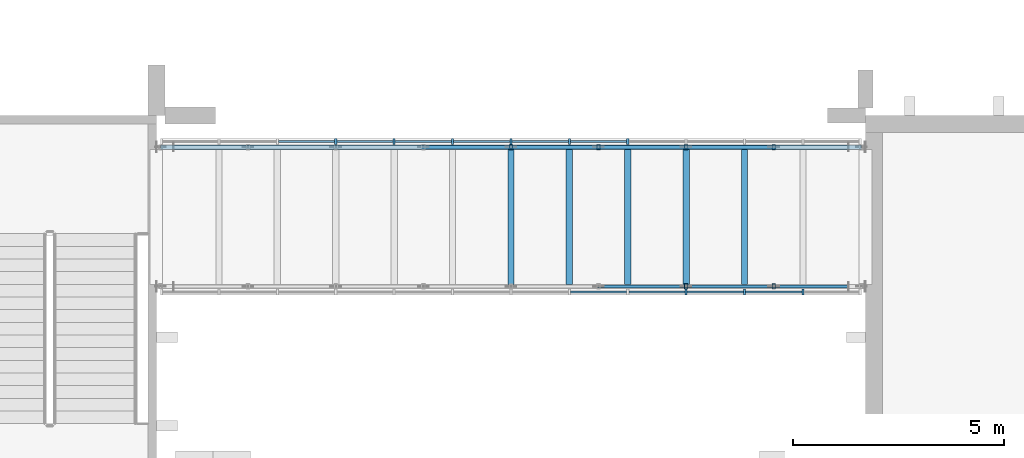
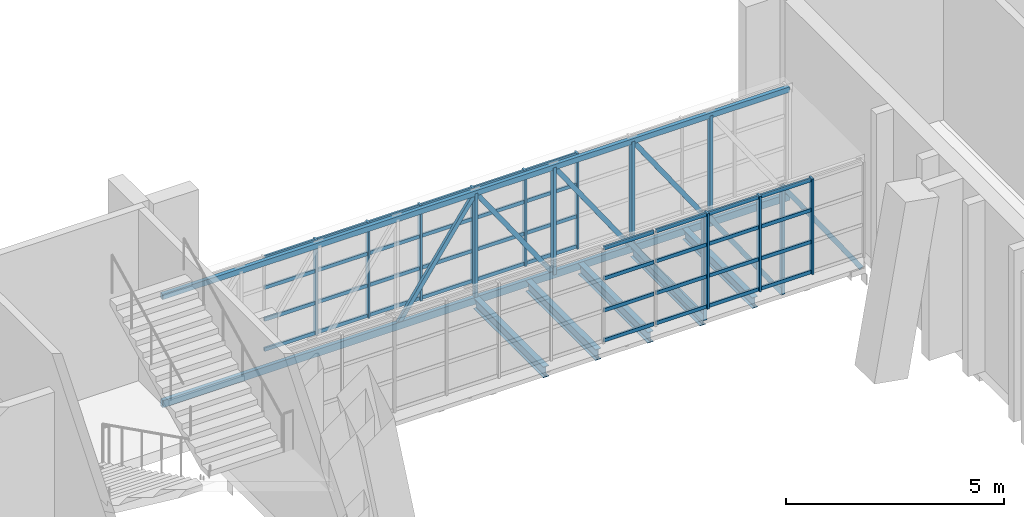
# One storey, part 12 of 91: 64 members, 5 beams, 2 elements without a shape of their own.
"""IFC4 building model written with IfcOpenShell, lengths in metres."""

from ifc_helpers import new_model, si_unit, direction, frame, origin, origin_2d, place, context, subcontext, project, spatial, rectangle, hollow_rectangle, i_section, extrude, material, layer, layer_set, material_profile, profile_set, type_object, element, aggregate, save


model = new_model("IFC4")

# Units and contexts
model_context = context("Model", 3, precision=1e-05, world=origin(), true_north=direction((0.0, 1.0)))
body_context = subcontext(model_context, "Body", "Model", "MODEL_VIEW")
ifc_project = project(units=[si_unit("LENGTHUNIT", "METRE"), si_unit("AREAUNIT", "SQUARE_METRE"), si_unit("VOLUMEUNIT", "CUBIC_METRE"), si_unit("PLANEANGLEUNIT", "RADIAN"), si_unit("MASSUNIT", "GRAM", prefix="KILO")], contexts=[model_context])

# Site, building, storey
site_placement = place(None, origin())
site = spatial("IfcSite", under=ifc_project, at=site_placement, CompositionType="ELEMENT")
building_placement = place(site_placement, origin())
building = spatial("IfcBuilding", under=site, at=building_placement, Name="Kiln Court Media Centre", CompositionType="ELEMENT")
storey_placement = place(building_placement, frame((0.0, 0.0, 5.39990234375)))
storey = spatial("IfcBuildingStorey", under=building, at=storey_placement, Name="L01", CompositionType="ELEMENT", Elevation=5.39990234375)

# Curtain wall, members
ifc_material_1 = material(Name="Aluminium 6063-T6", Category="aluminium")
ifc_layer = layer(ifc_material_1, 0.1201171875)
ifc_layer_set = layer_set([ifc_layer], Name="Aluminium unitised curtain wall, bridge")
curtain_wall_type = type_object("IfcCurtainWallType", Name="Aluminium unitised curtain wall, bridge", PredefinedType="USERDEFINED", material=ifc_layer_set)
curtain_wall_1_placement = place(storey_placement, origin())
curtain_wall_1 = element("IfcCurtainWall", 1, at=curtain_wall_1_placement, inside=storey, type_object=curtain_wall_type, Name="BR-3 side glazing", ObjectType="UNITISED CURTAIN WALL", PredefinedType="USERDEFINED")
ifc_material_2 = material(Name="Aluminium 6063-T6", Category="aluminium")
ifc_material_profile_1 = material_profile(ifc_material_2, rectangle(XDim=0.050048828125, YDim=0.139892578125, at=origin_2d()), Name="Aluminium hall mullion 50x140")
ifc_profile_set_1 = profile_set([ifc_material_profile_1], Name="Aluminium 6063-T6")
member_type_1 = type_object("IfcMemberType", Name="Aluminium hall mullion 50x140", PredefinedType="MULLION", material=ifc_profile_set_1)
member_1_placement = place(storey_placement, frame((113.35009765625, 63.014892578125, 0.0), z_axis=(0.0, 0.0, 1.0), x_axis=(1.0, 0.0, 0.0)))
member_1 = element("IfcMember", 2, at=member_1_placement, type_object=member_type_1, Name="CW1-63 mullion 10", PredefinedType="MULLION", context=body_context, shape_type="SweptSolid", body=[
    extrude(rectangle(XDim=0.050048828125, YDim=0.139892578125, at=origin_2d()), origin(), (0.0, 0.0, 1.0), 2.675048828125),
])
member_2_placement = place(storey_placement, frame((114.7333984375, 63.014892578125, 0.0), z_axis=(0.0, 0.0, 1.0), x_axis=(1.0, 0.0, 0.0)))
member_2 = element("IfcMember", 3, at=member_2_placement, type_object=member_type_1, Name="CW1-63 mullion 11", PredefinedType="MULLION", context=body_context, shape_type="SweptSolid", body=[
    extrude(rectangle(XDim=0.050048828125, YDim=0.139892578125, at=origin_2d()), origin(), (0.0, 0.0, 1.0), 2.675048828125),
])
member_3_placement = place(storey_placement, frame((116.11669921875, 63.014892578125, 0.0), z_axis=(0.0, 0.0, 1.0), x_axis=(1.0, 0.0, 0.0)))
member_3 = element("IfcMember", 4, at=member_3_placement, type_object=member_type_1, Name="CW1-63 mullion 12", PredefinedType="MULLION", context=body_context, shape_type="SweptSolid", body=[
    extrude(rectangle(XDim=0.050048828125, YDim=0.139892578125, at=origin_2d()), origin(), (0.0, 0.0, 1.0), 2.675048828125),
])

curtain_wall_2_placement = place(storey_placement, origin())
curtain_wall_2 = element("IfcCurtainWall", 5, at=curtain_wall_2_placement, inside=storey, type_object=curtain_wall_type, Name="BR-3 side glazing", ObjectType="UNITISED CURTAIN WALL", PredefinedType="USERDEFINED")
member_4_placement = place(storey_placement, frame((105.050048828125, 66.5849609375, 0.0), z_axis=(0.0, 0.0, 1.0), x_axis=(1.0, 0.0, 0.0)))
member_4 = element("IfcMember", 6, at=member_4_placement, type_object=member_type_1, Name="CW1-64 mullion 4", PredefinedType="MULLION", context=body_context, shape_type="SweptSolid", body=[
    extrude(rectangle(XDim=0.050048828125, YDim=0.139892578125, at=origin_2d()), origin(), (0.0, 0.0, 1.0), 2.675048828125),
])
member_5_placement = place(storey_placement, frame((106.433349609375, 66.5849609375, 0.0), z_axis=(0.0, 0.0, 1.0), x_axis=(1.0, 0.0, 0.0)))
member_5 = element("IfcMember", 7, at=member_5_placement, type_object=member_type_1, Name="CW1-64 mullion 5", PredefinedType="MULLION", context=body_context, shape_type="SweptSolid", body=[
    extrude(rectangle(XDim=0.050048828125, YDim=0.139892578125, at=origin_2d()), origin(), (0.0, 0.0, 1.0), 2.675048828125),
])
member_6_placement = place(storey_placement, frame((107.816650390625, 66.5849609375, 0.0), z_axis=(0.0, 0.0, 1.0), x_axis=(1.0, 0.0, 0.0)))
member_6 = element("IfcMember", 8, at=member_6_placement, type_object=member_type_1, Name="CW1-64 mullion 6", PredefinedType="MULLION", context=body_context, shape_type="SweptSolid", body=[
    extrude(rectangle(XDim=0.050048828125, YDim=0.139892578125, at=origin_2d()), origin(), (0.0, 0.0, 1.0), 2.675048828125),
])
member_7_placement = place(storey_placement, frame((109.199951171875, 66.5849609375, 0.0), z_axis=(0.0, 0.0, 1.0), x_axis=(1.0, 0.0, 0.0)))
member_7 = element("IfcMember", 9, at=member_7_placement, type_object=member_type_1, Name="CW1-64 mullion 7", PredefinedType="MULLION", context=body_context, shape_type="SweptSolid", body=[
    extrude(rectangle(XDim=0.050048828125, YDim=0.139892578125, at=origin_2d()), origin(), (0.0, 0.0, 1.0), 2.675048828125),
])
member_8_placement = place(storey_placement, frame((110.583251953125, 66.5849609375, 0.0), z_axis=(0.0, 0.0, 1.0), x_axis=(1.0, 0.0, 0.0)))
member_8 = element("IfcMember", 10, at=member_8_placement, type_object=member_type_1, Name="CW1-64 mullion 8", PredefinedType="MULLION", context=body_context, shape_type="SweptSolid", body=[
    extrude(rectangle(XDim=0.050048828125, YDim=0.139892578125, at=origin_2d()), origin(), (0.0, 0.0, 1.0), 2.675048828125),
])
member_9_placement = place(storey_placement, frame((111.966552734375, 66.5849609375, 0.0), z_axis=(0.0, 0.0, 1.0), x_axis=(1.0, 0.0, 0.0)))
member_9 = element("IfcMember", 11, at=member_9_placement, type_object=member_type_1, Name="CW1-64 mullion 9", PredefinedType="MULLION", context=body_context, shape_type="SweptSolid", body=[
    extrude(rectangle(XDim=0.050048828125, YDim=0.139892578125, at=origin_2d()), origin(), (0.0, 0.0, 1.0), 2.675048828125),
])

# Member
ifc_material_3 = material(Name="Aluminium 6063-T6", Category="aluminium")
ifc_material_profile_2 = material_profile(ifc_material_3, rectangle(XDim=0.050048828125, YDim=0.10009765625, at=origin_2d()), Name="Aluminium hall transom 50x100")
ifc_profile_set_2 = profile_set([ifc_material_profile_2], Name="Aluminium 6063-T6")
member_type_2 = type_object("IfcMemberType", Name="Aluminium hall transom 50x100", PredefinedType="USERDEFINED", material=ifc_profile_set_2)
member_10_placement = place(storey_placement, frame((110.6083984375, 63.014892578125, 0.050048828125), z_axis=(1.0, 0.0, 0.0), x_axis=(0.0, 1.0, 0.0)))
member_10 = element("IfcMember", 12, at=member_10_placement, type_object=member_type_2, Name="CW1-63 transom 8.1", ObjectType="TRANSOM", PredefinedType="USERDEFINED", context=body_context, shape_type="SweptSolid", body=[
    extrude(rectangle(XDim=0.050048828125, YDim=0.10009765625, at=origin_2d()), origin(), (0.0, 0.0, 1.0), 1.333251953125),
])

member_11_placement = place(storey_placement, frame((110.6083984375, 63.014892578125, 0.891845703125), z_axis=(1.0, 0.0, 0.0), x_axis=(0.0, 1.0, 0.0)))
member_11 = element("IfcMember", 13, at=member_11_placement, type_object=member_type_2, Name="CW1-63 transom 8.2", ObjectType="TRANSOM", PredefinedType="USERDEFINED", context=body_context, shape_type="SweptSolid", body=[
    extrude(rectangle(XDim=0.050048828125, YDim=0.10009765625, at=origin_2d()), origin(), (0.0, 0.0, 1.0), 1.333251953125),
])

member_12_placement = place(storey_placement, frame((110.6083984375, 63.014892578125, 1.783447265625), z_axis=(1.0, 0.0, 0.0), x_axis=(0.0, 1.0, 0.0)))
member_12 = element("IfcMember", 14, at=member_12_placement, type_object=member_type_2, Name="CW1-63 transom 8.3", ObjectType="TRANSOM", PredefinedType="USERDEFINED", context=body_context, shape_type="SweptSolid", body=[
    extrude(rectangle(XDim=0.050048828125, YDim=0.10009765625, at=origin_2d()), origin(), (0.0, 0.0, 1.0), 1.333251953125),
])

member_13_placement = place(storey_placement, frame((110.6083984375, 63.014892578125, 2.625), z_axis=(1.0, 0.0, 0.0), x_axis=(0.0, 1.0, 0.0)))
member_13 = element("IfcMember", 15, at=member_13_placement, type_object=member_type_2, Name="CW1-63 transom 8.4", ObjectType="TRANSOM", PredefinedType="USERDEFINED", context=body_context, shape_type="SweptSolid", body=[
    extrude(rectangle(XDim=0.050048828125, YDim=0.10009765625, at=origin_2d()), origin(), (0.0, 0.0, 1.0), 1.333251953125),
])

member_14_placement = place(storey_placement, frame((111.99169921875, 63.014892578125, 0.050048828125), z_axis=(1.0, 0.0, 0.0), x_axis=(0.0, 1.0, 0.0)))
member_14 = element("IfcMember", 16, at=member_14_placement, type_object=member_type_2, Name="CW1-63 transom 9.1", ObjectType="TRANSOM", PredefinedType="USERDEFINED", context=body_context, shape_type="SweptSolid", body=[
    extrude(rectangle(XDim=0.050048828125, YDim=0.10009765625, at=origin_2d()), origin(), (0.0, 0.0, 1.0), 1.333251953125),
])

member_15_placement = place(storey_placement, frame((111.99169921875, 63.014892578125, 0.891845703125), z_axis=(1.0, 0.0, 0.0), x_axis=(0.0, 1.0, 0.0)))
member_15 = element("IfcMember", 17, at=member_15_placement, type_object=member_type_2, Name="CW1-63 transom 9.2", ObjectType="TRANSOM", PredefinedType="USERDEFINED", context=body_context, shape_type="SweptSolid", body=[
    extrude(rectangle(XDim=0.050048828125, YDim=0.10009765625, at=origin_2d()), origin(), (0.0, 0.0, 1.0), 1.333251953125),
])

member_16_placement = place(storey_placement, frame((111.99169921875, 63.014892578125, 1.783447265625), z_axis=(1.0, 0.0, 0.0), x_axis=(0.0, 1.0, 0.0)))
member_16 = element("IfcMember", 18, at=member_16_placement, type_object=member_type_2, Name="CW1-63 transom 9.3", ObjectType="TRANSOM", PredefinedType="USERDEFINED", context=body_context, shape_type="SweptSolid", body=[
    extrude(rectangle(XDim=0.050048828125, YDim=0.10009765625, at=origin_2d()), origin(), (0.0, 0.0, 1.0), 1.333251953125),
])

member_17_placement = place(storey_placement, frame((111.99169921875, 63.014892578125, 2.625), z_axis=(1.0, 0.0, 0.0), x_axis=(0.0, 1.0, 0.0)))
member_17 = element("IfcMember", 19, at=member_17_placement, type_object=member_type_2, Name="CW1-63 transom 9.4", ObjectType="TRANSOM", PredefinedType="USERDEFINED", context=body_context, shape_type="SweptSolid", body=[
    extrude(rectangle(XDim=0.050048828125, YDim=0.10009765625, at=origin_2d()), origin(), (0.0, 0.0, 1.0), 1.333251953125),
])

member_18_placement = place(storey_placement, frame((113.375, 63.014892578125, 0.050048828125), z_axis=(1.0, 0.0, 0.0), x_axis=(0.0, 1.0, 0.0)))
member_18 = element("IfcMember", 20, at=member_18_placement, type_object=member_type_2, Name="CW1-63 transom 10.1", ObjectType="TRANSOM", PredefinedType="USERDEFINED", context=body_context, shape_type="SweptSolid", body=[
    extrude(rectangle(XDim=0.050048828125, YDim=0.10009765625, at=origin_2d()), origin(), (0.0, 0.0, 1.0), 1.333251953125),
])

member_19_placement = place(storey_placement, frame((113.375, 63.014892578125, 0.891845703125), z_axis=(1.0, 0.0, 0.0), x_axis=(0.0, 1.0, 0.0)))
member_19 = element("IfcMember", 21, at=member_19_placement, type_object=member_type_2, Name="CW1-63 transom 10.2", ObjectType="TRANSOM", PredefinedType="USERDEFINED", context=body_context, shape_type="SweptSolid", body=[
    extrude(rectangle(XDim=0.050048828125, YDim=0.10009765625, at=origin_2d()), origin(), (0.0, 0.0, 1.0), 1.333251953125),
])

member_20_placement = place(storey_placement, frame((113.375, 63.014892578125, 1.783447265625), z_axis=(1.0, 0.0, 0.0), x_axis=(0.0, 1.0, 0.0)))
member_20 = element("IfcMember", 22, at=member_20_placement, type_object=member_type_2, Name="CW1-63 transom 10.3", ObjectType="TRANSOM", PredefinedType="USERDEFINED", context=body_context, shape_type="SweptSolid", body=[
    extrude(rectangle(XDim=0.050048828125, YDim=0.10009765625, at=origin_2d()), origin(), (0.0, 0.0, 1.0), 1.333251953125),
])

member_21_placement = place(storey_placement, frame((113.375, 63.014892578125, 2.625), z_axis=(1.0, 0.0, 0.0), x_axis=(0.0, 1.0, 0.0)))
member_21 = element("IfcMember", 23, at=member_21_placement, type_object=member_type_2, Name="CW1-63 transom 10.4", ObjectType="TRANSOM", PredefinedType="USERDEFINED", context=body_context, shape_type="SweptSolid", body=[
    extrude(rectangle(XDim=0.050048828125, YDim=0.10009765625, at=origin_2d()), origin(), (0.0, 0.0, 1.0), 1.333251953125),
])

member_22_placement = place(storey_placement, frame((114.75830078125, 63.014892578125, 0.050048828125), z_axis=(1.0, 0.0, 0.0), x_axis=(0.0, 1.0, 0.0)))
member_22 = element("IfcMember", 24, at=member_22_placement, type_object=member_type_2, Name="CW1-63 transom 11.1", ObjectType="TRANSOM", PredefinedType="USERDEFINED", context=body_context, shape_type="SweptSolid", body=[
    extrude(rectangle(XDim=0.050048828125, YDim=0.10009765625, at=origin_2d()), origin(), (0.0, 0.0, 1.0), 1.333251953125),
])

member_23_placement = place(storey_placement, frame((114.75830078125, 63.014892578125, 0.891845703125), z_axis=(1.0, 0.0, 0.0), x_axis=(0.0, 1.0, 0.0)))
member_23 = element("IfcMember", 25, at=member_23_placement, type_object=member_type_2, Name="CW1-63 transom 11.2", ObjectType="TRANSOM", PredefinedType="USERDEFINED", context=body_context, shape_type="SweptSolid", body=[
    extrude(rectangle(XDim=0.050048828125, YDim=0.10009765625, at=origin_2d()), origin(), (0.0, 0.0, 1.0), 1.333251953125),
])

member_24_placement = place(storey_placement, frame((114.75830078125, 63.014892578125, 1.783447265625), z_axis=(1.0, 0.0, 0.0), x_axis=(0.0, 1.0, 0.0)))
member_24 = element("IfcMember", 26, at=member_24_placement, type_object=member_type_2, Name="CW1-63 transom 11.3", ObjectType="TRANSOM", PredefinedType="USERDEFINED", context=body_context, shape_type="SweptSolid", body=[
    extrude(rectangle(XDim=0.050048828125, YDim=0.10009765625, at=origin_2d()), origin(), (0.0, 0.0, 1.0), 1.333251953125),
])

member_25_placement = place(storey_placement, frame((114.75830078125, 63.014892578125, 2.625), z_axis=(1.0, 0.0, 0.0), x_axis=(0.0, 1.0, 0.0)))
member_25 = element("IfcMember", 27, at=member_25_placement, type_object=member_type_2, Name="CW1-63 transom 11.4", ObjectType="TRANSOM", PredefinedType="USERDEFINED", context=body_context, shape_type="SweptSolid", body=[
    extrude(rectangle(XDim=0.050048828125, YDim=0.10009765625, at=origin_2d()), origin(), (0.0, 0.0, 1.0), 1.333251953125),
])

aggregate(curtain_wall_1, [member_1, member_2, member_3, member_10, member_11, member_12, member_13, member_14, member_15, member_16, member_17, member_18, member_19, member_20, member_21, member_22, member_23, member_24, member_25])

member_26_placement = place(storey_placement, frame((103.691650390625, 66.5849609375, 0.050048828125), z_axis=(1.0, 0.0, 0.0), x_axis=(0.0, 1.0, 0.0)))
member_26 = element("IfcMember", 28, at=member_26_placement, type_object=member_type_2, Name="CW1-64 transom 3.1", ObjectType="TRANSOM", PredefinedType="USERDEFINED", context=body_context, shape_type="SweptSolid", body=[
    extrude(rectangle(XDim=0.050048828125, YDim=0.10009765625, at=origin_2d()), origin(), (0.0, 0.0, 1.0), 1.333251953125),
])

member_27_placement = place(storey_placement, frame((103.691650390625, 66.5849609375, 0.891845703125), z_axis=(1.0, 0.0, 0.0), x_axis=(0.0, 1.0, 0.0)))
member_27 = element("IfcMember", 29, at=member_27_placement, type_object=member_type_2, Name="CW1-64 transom 3.2", ObjectType="TRANSOM", PredefinedType="USERDEFINED", context=body_context, shape_type="SweptSolid", body=[
    extrude(rectangle(XDim=0.050048828125, YDim=0.10009765625, at=origin_2d()), origin(), (0.0, 0.0, 1.0), 1.333251953125),
])

member_28_placement = place(storey_placement, frame((103.691650390625, 66.5849609375, 1.783447265625), z_axis=(1.0, 0.0, 0.0), x_axis=(0.0, 1.0, 0.0)))
member_28 = element("IfcMember", 30, at=member_28_placement, type_object=member_type_2, Name="CW1-64 transom 3.3", ObjectType="TRANSOM", PredefinedType="USERDEFINED", context=body_context, shape_type="SweptSolid", body=[
    extrude(rectangle(XDim=0.050048828125, YDim=0.10009765625, at=origin_2d()), origin(), (0.0, 0.0, 1.0), 1.333251953125),
])

member_29_placement = place(storey_placement, frame((103.691650390625, 66.5849609375, 2.625), z_axis=(1.0, 0.0, 0.0), x_axis=(0.0, 1.0, 0.0)))
member_29 = element("IfcMember", 31, at=member_29_placement, type_object=member_type_2, Name="CW1-64 transom 3.4", ObjectType="TRANSOM", PredefinedType="USERDEFINED", context=body_context, shape_type="SweptSolid", body=[
    extrude(rectangle(XDim=0.050048828125, YDim=0.10009765625, at=origin_2d()), origin(), (0.0, 0.0, 1.0), 1.333251953125),
])

member_30_placement = place(storey_placement, frame((105.074951171875, 66.5849609375, 0.050048828125), z_axis=(1.0, 0.0, 0.0), x_axis=(0.0, 1.0, 0.0)))
member_30 = element("IfcMember", 32, at=member_30_placement, type_object=member_type_2, Name="CW1-64 transom 4.1", ObjectType="TRANSOM", PredefinedType="USERDEFINED", context=body_context, shape_type="SweptSolid", body=[
    extrude(rectangle(XDim=0.050048828125, YDim=0.10009765625, at=origin_2d()), origin(), (0.0, 0.0, 1.0), 1.33349609375),
])

member_31_placement = place(storey_placement, frame((105.074951171875, 66.5849609375, 0.891845703125), z_axis=(1.0, 0.0, 0.0), x_axis=(0.0, 1.0, 0.0)))
member_31 = element("IfcMember", 33, at=member_31_placement, type_object=member_type_2, Name="CW1-64 transom 4.2", ObjectType="TRANSOM", PredefinedType="USERDEFINED", context=body_context, shape_type="SweptSolid", body=[
    extrude(rectangle(XDim=0.050048828125, YDim=0.10009765625, at=origin_2d()), origin(), (0.0, 0.0, 1.0), 1.33349609375),
])

member_32_placement = place(storey_placement, frame((105.074951171875, 66.5849609375, 1.783447265625), z_axis=(1.0, 0.0, 0.0), x_axis=(0.0, 1.0, 0.0)))
member_32 = element("IfcMember", 34, at=member_32_placement, type_object=member_type_2, Name="CW1-64 transom 4.3", ObjectType="TRANSOM", PredefinedType="USERDEFINED", context=body_context, shape_type="SweptSolid", body=[
    extrude(rectangle(XDim=0.050048828125, YDim=0.10009765625, at=origin_2d()), origin(), (0.0, 0.0, 1.0), 1.33349609375),
])

member_33_placement = place(storey_placement, frame((105.074951171875, 66.5849609375, 2.625), z_axis=(1.0, 0.0, 0.0), x_axis=(0.0, 1.0, 0.0)))
member_33 = element("IfcMember", 35, at=member_33_placement, type_object=member_type_2, Name="CW1-64 transom 4.4", ObjectType="TRANSOM", PredefinedType="USERDEFINED", context=body_context, shape_type="SweptSolid", body=[
    extrude(rectangle(XDim=0.050048828125, YDim=0.10009765625, at=origin_2d()), origin(), (0.0, 0.0, 1.0), 1.33349609375),
])

member_34_placement = place(storey_placement, frame((106.458251953125, 66.5849609375, 0.050048828125), z_axis=(1.0, 0.0, 0.0), x_axis=(0.0, 1.0, 0.0)))
member_34 = element("IfcMember", 36, at=member_34_placement, type_object=member_type_2, Name="CW1-64 transom 5.1", ObjectType="TRANSOM", PredefinedType="USERDEFINED", context=body_context, shape_type="SweptSolid", body=[
    extrude(rectangle(XDim=0.050048828125, YDim=0.10009765625, at=origin_2d()), origin(), (0.0, 0.0, 1.0), 1.33349609375),
])

member_35_placement = place(storey_placement, frame((106.458251953125, 66.5849609375, 0.891845703125), z_axis=(1.0, 0.0, 0.0), x_axis=(0.0, 1.0, 0.0)))
member_35 = element("IfcMember", 37, at=member_35_placement, type_object=member_type_2, Name="CW1-64 transom 5.2", ObjectType="TRANSOM", PredefinedType="USERDEFINED", context=body_context, shape_type="SweptSolid", body=[
    extrude(rectangle(XDim=0.050048828125, YDim=0.10009765625, at=origin_2d()), origin(), (0.0, 0.0, 1.0), 1.33349609375),
])

member_36_placement = place(storey_placement, frame((106.458251953125, 66.5849609375, 1.783447265625), z_axis=(1.0, 0.0, 0.0), x_axis=(0.0, 1.0, 0.0)))
member_36 = element("IfcMember", 38, at=member_36_placement, type_object=member_type_2, Name="CW1-64 transom 5.3", ObjectType="TRANSOM", PredefinedType="USERDEFINED", context=body_context, shape_type="SweptSolid", body=[
    extrude(rectangle(XDim=0.050048828125, YDim=0.10009765625, at=origin_2d()), origin(), (0.0, 0.0, 1.0), 1.33349609375),
])

member_37_placement = place(storey_placement, frame((106.458251953125, 66.5849609375, 2.625), z_axis=(1.0, 0.0, 0.0), x_axis=(0.0, 1.0, 0.0)))
member_37 = element("IfcMember", 39, at=member_37_placement, type_object=member_type_2, Name="CW1-64 transom 5.4", ObjectType="TRANSOM", PredefinedType="USERDEFINED", context=body_context, shape_type="SweptSolid", body=[
    extrude(rectangle(XDim=0.050048828125, YDim=0.10009765625, at=origin_2d()), origin(), (0.0, 0.0, 1.0), 1.33349609375),
])

member_38_placement = place(storey_placement, frame((107.841552734375, 66.5849609375, 0.050048828125), z_axis=(1.0, 0.0, 0.0), x_axis=(0.0, 1.0, 0.0)))
member_38 = element("IfcMember", 40, at=member_38_placement, type_object=member_type_2, Name="CW1-64 transom 6.1", ObjectType="TRANSOM", PredefinedType="USERDEFINED", context=body_context, shape_type="SweptSolid", body=[
    extrude(rectangle(XDim=0.050048828125, YDim=0.10009765625, at=origin_2d()), origin(), (0.0, 0.0, 1.0), 1.33349609375),
])

member_39_placement = place(storey_placement, frame((107.841552734375, 66.5849609375, 0.891845703125), z_axis=(1.0, 0.0, 0.0), x_axis=(0.0, 1.0, 0.0)))
member_39 = element("IfcMember", 41, at=member_39_placement, type_object=member_type_2, Name="CW1-64 transom 6.2", ObjectType="TRANSOM", PredefinedType="USERDEFINED", context=body_context, shape_type="SweptSolid", body=[
    extrude(rectangle(XDim=0.050048828125, YDim=0.10009765625, at=origin_2d()), origin(), (0.0, 0.0, 1.0), 1.33349609375),
])

member_40_placement = place(storey_placement, frame((107.841552734375, 66.5849609375, 1.783447265625), z_axis=(1.0, 0.0, 0.0), x_axis=(0.0, 1.0, 0.0)))
member_40 = element("IfcMember", 42, at=member_40_placement, type_object=member_type_2, Name="CW1-64 transom 6.3", ObjectType="TRANSOM", PredefinedType="USERDEFINED", context=body_context, shape_type="SweptSolid", body=[
    extrude(rectangle(XDim=0.050048828125, YDim=0.10009765625, at=origin_2d()), origin(), (0.0, 0.0, 1.0), 1.33349609375),
])

member_41_placement = place(storey_placement, frame((107.841552734375, 66.5849609375, 2.625), z_axis=(1.0, 0.0, 0.0), x_axis=(0.0, 1.0, 0.0)))
member_41 = element("IfcMember", 43, at=member_41_placement, type_object=member_type_2, Name="CW1-64 transom 6.4", ObjectType="TRANSOM", PredefinedType="USERDEFINED", context=body_context, shape_type="SweptSolid", body=[
    extrude(rectangle(XDim=0.050048828125, YDim=0.10009765625, at=origin_2d()), origin(), (0.0, 0.0, 1.0), 1.33349609375),
])

member_42_placement = place(storey_placement, frame((109.22509765625, 66.5849609375, 0.050048828125), z_axis=(1.0, 0.0, 0.0), x_axis=(0.0, 1.0, 0.0)))
member_42 = element("IfcMember", 44, at=member_42_placement, type_object=member_type_2, Name="CW1-64 transom 7.1", ObjectType="TRANSOM", PredefinedType="USERDEFINED", context=body_context, shape_type="SweptSolid", body=[
    extrude(rectangle(XDim=0.050048828125, YDim=0.10009765625, at=origin_2d()), origin(), (0.0, 0.0, 1.0), 1.333251953125),
])

member_43_placement = place(storey_placement, frame((109.22509765625, 66.5849609375, 0.891845703125), z_axis=(1.0, 0.0, 0.0), x_axis=(0.0, 1.0, 0.0)))
member_43 = element("IfcMember", 45, at=member_43_placement, type_object=member_type_2, Name="CW1-64 transom 7.2", ObjectType="TRANSOM", PredefinedType="USERDEFINED", context=body_context, shape_type="SweptSolid", body=[
    extrude(rectangle(XDim=0.050048828125, YDim=0.10009765625, at=origin_2d()), origin(), (0.0, 0.0, 1.0), 1.333251953125),
])

member_44_placement = place(storey_placement, frame((109.22509765625, 66.5849609375, 1.783447265625), z_axis=(1.0, 0.0, 0.0), x_axis=(0.0, 1.0, 0.0)))
member_44 = element("IfcMember", 46, at=member_44_placement, type_object=member_type_2, Name="CW1-64 transom 7.3", ObjectType="TRANSOM", PredefinedType="USERDEFINED", context=body_context, shape_type="SweptSolid", body=[
    extrude(rectangle(XDim=0.050048828125, YDim=0.10009765625, at=origin_2d()), origin(), (0.0, 0.0, 1.0), 1.333251953125),
])

member_45_placement = place(storey_placement, frame((109.22509765625, 66.5849609375, 2.625), z_axis=(1.0, 0.0, 0.0), x_axis=(0.0, 1.0, 0.0)))
member_45 = element("IfcMember", 47, at=member_45_placement, type_object=member_type_2, Name="CW1-64 transom 7.4", ObjectType="TRANSOM", PredefinedType="USERDEFINED", context=body_context, shape_type="SweptSolid", body=[
    extrude(rectangle(XDim=0.050048828125, YDim=0.10009765625, at=origin_2d()), origin(), (0.0, 0.0, 1.0), 1.333251953125),
])

member_46_placement = place(storey_placement, frame((110.6083984375, 66.5849609375, 0.050048828125), z_axis=(1.0, 0.0, 0.0), x_axis=(0.0, 1.0, 0.0)))
member_46 = element("IfcMember", 48, at=member_46_placement, type_object=member_type_2, Name="CW1-64 transom 8.1", ObjectType="TRANSOM", PredefinedType="USERDEFINED", context=body_context, shape_type="SweptSolid", body=[
    extrude(rectangle(XDim=0.050048828125, YDim=0.10009765625, at=origin_2d()), origin(), (0.0, 0.0, 1.0), 1.333251953125),
])

member_47_placement = place(storey_placement, frame((110.6083984375, 66.5849609375, 0.891845703125), z_axis=(1.0, 0.0, 0.0), x_axis=(0.0, 1.0, 0.0)))
member_47 = element("IfcMember", 49, at=member_47_placement, type_object=member_type_2, Name="CW1-64 transom 8.2", ObjectType="TRANSOM", PredefinedType="USERDEFINED", context=body_context, shape_type="SweptSolid", body=[
    extrude(rectangle(XDim=0.050048828125, YDim=0.10009765625, at=origin_2d()), origin(), (0.0, 0.0, 1.0), 1.333251953125),
])

member_48_placement = place(storey_placement, frame((110.6083984375, 66.5849609375, 1.783447265625), z_axis=(1.0, 0.0, 0.0), x_axis=(0.0, 1.0, 0.0)))
member_48 = element("IfcMember", 50, at=member_48_placement, type_object=member_type_2, Name="CW1-64 transom 8.3", ObjectType="TRANSOM", PredefinedType="USERDEFINED", context=body_context, shape_type="SweptSolid", body=[
    extrude(rectangle(XDim=0.050048828125, YDim=0.10009765625, at=origin_2d()), origin(), (0.0, 0.0, 1.0), 1.333251953125),
])

member_49_placement = place(storey_placement, frame((110.6083984375, 66.5849609375, 2.625), z_axis=(1.0, 0.0, 0.0), x_axis=(0.0, 1.0, 0.0)))
member_49 = element("IfcMember", 51, at=member_49_placement, type_object=member_type_2, Name="CW1-64 transom 8.4", ObjectType="TRANSOM", PredefinedType="USERDEFINED", context=body_context, shape_type="SweptSolid", body=[
    extrude(rectangle(XDim=0.050048828125, YDim=0.10009765625, at=origin_2d()), origin(), (0.0, 0.0, 1.0), 1.333251953125),
])

aggregate(curtain_wall_2, [member_4, member_5, member_6, member_7, member_8, member_9, member_26, member_27, member_28, member_29, member_30, member_31, member_32, member_33, member_34, member_35, member_36, member_37, member_38, member_39, member_40, member_41, member_42, member_43, member_44, member_45, member_46, member_47, member_48, member_49])

# Members
ifc_material_4 = material(Name="Steel ASTM A500 Gr C", Category="steel")
ifc_material_profile_3 = material_profile(ifc_material_4, hollow_rectangle(XDim=0.080078125, YDim=0.1201171875, WallThickness=0.00634765625, at=origin_2d()), Name="RHS 120x80x6.3")
ifc_profile_set_3 = profile_set([ifc_material_profile_3], Name="Steel ASTM A500 Gr C")
member_type_3 = type_object("IfcMemberType", Name="Steel ASTM A500 Gr C RHS 120x80x6.3 bridge truss web", PredefinedType="BRACE", material=ifc_profile_set_3)
for number, where, z_axis, x_axis, name in (
    (52, (113.35009765625, 63.14990234375, -0.39990234375), (0.0, 0.0, 1.0), (1.0, 0.0, 0.0), "bridge BR-3 side truss 1 post 7 bridge truss web"),
    (53, (115.425048828125, 63.14990234375, -0.39990234375), (0.0, 0.0, 1.0), (1.0, 0.0, 0.0), "bridge BR-3 side truss 1 post 8 bridge truss web"),
):
    element("IfcMember", number, at=place(storey_placement, frame(where, z_axis=z_axis, x_axis=x_axis)), inside=storey, type_object=member_type_3, Name=name, PredefinedType="BRACE", context=body_context, shape_type="SweptSolid", body=[
        extrude(hollow_rectangle(XDim=0.080078125, YDim=0.1201171875, WallThickness=0.00634765625, at=origin_2d()), origin(), (0.0, 0.0, 1.0), 3.0),
    ])
for number, where, z_axis, x_axis, name in (
    (54, (111.27490234375, 63.14990234375, 2.60009765625), (0.568889751131, 0.0, -0.822413795518), (0.0, 1.0, 0.0), "bridge BR-3 side truss 1 diagonal 6 bridge truss web"),
    (55, (113.35009765625, 63.14990234375, 2.60009765625), (0.568844480686, 0.0, -0.822445108681), (0.0, 1.0, 0.0), "bridge BR-3 side truss 1 diagonal 7 bridge truss web"),
    (56, (115.425048828125, 63.14990234375, 2.60009765625), (0.568844480686, 0.0, -0.822445108681), (0.0, 1.0, 0.0), "bridge BR-3 side truss 1 diagonal 8 bridge truss web"),
):
    element("IfcMember", number, at=place(storey_placement, frame(where, z_axis=z_axis, x_axis=x_axis)), inside=storey, type_object=member_type_3, Name=name, PredefinedType="BRACE", context=body_context, shape_type="SweptSolid", body=[
        extrude(hollow_rectangle(XDim=0.080078125, YDim=0.1201171875, WallThickness=0.00634765625, at=origin_2d()), origin(), (0.0, 0.0, 1.0), 3.647705078125),
    ])
for number, where, z_axis, x_axis, name in (
    (57, (109.199951171875, 66.449951171875, -0.39990234375), (0.0, 0.0, 1.0), (1.0, 0.0, 0.0), "bridge BR-3 side truss 2 post 5 bridge truss web"),
    (58, (111.27490234375, 66.449951171875, -0.39990234375), (0.0, 0.0, 1.0), (1.0, 0.0, 0.0), "bridge BR-3 side truss 2 post 6 bridge truss web"),
    (59, (113.35009765625, 66.449951171875, -0.39990234375), (0.0, 0.0, 1.0), (1.0, 0.0, 0.0), "bridge BR-3 side truss 2 post 7 bridge truss web"),
    (60, (115.425048828125, 66.449951171875, -0.39990234375), (0.0, 0.0, 1.0), (1.0, 0.0, 0.0), "bridge BR-3 side truss 2 post 8 bridge truss web"),
):
    element("IfcMember", number, at=place(storey_placement, frame(where, z_axis=z_axis, x_axis=x_axis)), inside=storey, type_object=member_type_3, Name=name, PredefinedType="BRACE", context=body_context, shape_type="SweptSolid", body=[
        extrude(hollow_rectangle(XDim=0.080078125, YDim=0.1201171875, WallThickness=0.00634765625, at=origin_2d()), origin(), (0.0, 0.0, 1.0), 3.0),
    ])
for number, where, z_axis, x_axis, name in (
    (61, (107.125, 66.449951171875, -0.39990234375), (0.568844480686, 0.0, 0.822445108681), (0.0, 1.0, 0.0), "bridge BR-3 side truss 2 diagonal 4 bridge truss web"),
    (62, (109.199951171875, 66.449951171875, 2.60009765625), (0.568844480686, 0.0, -0.822445108681), (0.0, 1.0, 0.0), "bridge BR-3 side truss 2 diagonal 5 bridge truss web"),
    (63, (111.27490234375, 66.449951171875, 2.60009765625), (0.568889751131, 0.0, -0.822413795518), (0.0, 1.0, 0.0), "bridge BR-3 side truss 2 diagonal 6 bridge truss web"),
    (64, (113.35009765625, 66.449951171875, 2.60009765625), (0.568844480686, 0.0, -0.822445108681), (0.0, 1.0, 0.0), "bridge BR-3 side truss 2 diagonal 7 bridge truss web"),
):
    element("IfcMember", number, at=place(storey_placement, frame(where, z_axis=z_axis, x_axis=x_axis)), inside=storey, type_object=member_type_3, Name=name, PredefinedType="BRACE", context=body_context, shape_type="SweptSolid", body=[
        extrude(hollow_rectangle(XDim=0.080078125, YDim=0.1201171875, WallThickness=0.00634765625, at=origin_2d()), origin(), (0.0, 0.0, 1.0), 3.647705078125),
    ])
ifc_material_5 = material(Name="Steel ASTM A500 Gr C", Category="steel")
ifc_material_profile_4 = material_profile(ifc_material_5, hollow_rectangle(XDim=0.10009765625, YDim=0.14990234375, WallThickness=0.008056640625, at=origin_2d()), Name="RHS 150x100x8.0")
ifc_profile_set_4 = profile_set([ifc_material_profile_4], Name="Steel ASTM A500 Gr C")
member_type_4 = type_object("IfcMemberType", Name="Steel ASTM A500 Gr C RHS 150x100x8.0 bridge truss chord", PredefinedType="CHORD", material=ifc_profile_set_4)
member_50_placement = place(storey_placement, frame((100.89990234375, 66.449951171875, 2.60009765625), z_axis=(1.0, 0.0, 0.0), x_axis=(0.0, 1.0, 0.0)))
element("IfcMember", 65, at=member_50_placement, inside=storey, type_object=member_type_4, Name="bridge BR-3 side truss 2 top chord bridge truss chord", PredefinedType="CHORD", context=body_context, shape_type="SweptSolid", body=[
    extrude(hollow_rectangle(XDim=0.10009765625, YDim=0.14990234375, WallThickness=0.008056640625, at=origin_2d()), origin(), (0.0, 0.0, 1.0), 16.60009765625),
])
ifc_material_6 = material(Name="Steel ASTM A500 Gr C", Category="steel")
ifc_material_profile_5 = material_profile(ifc_material_6, hollow_rectangle(XDim=0.10009765625, YDim=0.199951171875, WallThickness=0.008056640625, at=origin_2d()), Name="RHS 200x100x8.0")
ifc_profile_set_5 = profile_set([ifc_material_profile_5], Name="Steel ASTM A500 Gr C")
member_type_5 = type_object("IfcMemberType", Name="Steel ASTM A500 Gr C RHS 200x100x8.0 bridge truss chord", PredefinedType="CHORD", material=ifc_profile_set_5)
member_51_placement = place(storey_placement, frame((100.89990234375, 66.449951171875, -0.39990234375), z_axis=(1.0, 0.0, 0.0), x_axis=(0.0, 1.0, 0.0)))
element("IfcMember", 66, at=member_51_placement, inside=storey, type_object=member_type_5, Name="bridge BR-3 side truss 2 bottom chord bridge truss chord", PredefinedType="CHORD", context=body_context, shape_type="SweptSolid", body=[
    extrude(hollow_rectangle(XDim=0.10009765625, YDim=0.199951171875, WallThickness=0.008056640625, at=origin_2d()), origin(), (0.0, 0.0, 1.0), 16.60009765625),
])

# Beams
ifc_material_7 = material(Name="Steel ASTM A572 Gr 50", Category="steel")
ifc_material_profile_6 = material_profile(ifc_material_7, i_section(OverallWidth=0.14990234375, OverallDepth=0.300048828125, WebThickness=0.007080078125, FlangeThickness=0.0107421875, FilletRadius=0.014892578125, at=origin_2d()), Name="IPE 300")
ifc_profile_set_6 = profile_set([ifc_material_profile_6], Name="Steel ASTM A572 Gr 50")
beam_type = type_object("IfcBeamType", Name="Steel ASTM A572 Gr 50 IPE 300 bridge floor beam", PredefinedType="BEAM", material=ifc_profile_set_6)
for number, where, z_axis, x_axis, name in (
    (67, (109.199951171875, 63.199951171875, -0.449951171875), (0.0, 1.0, 0.0), (-1.0, 0.0, 0.0), "bridge BR-3 floor beam 6 bridge floor beam"),
    (68, (110.583251953125, 63.199951171875, -0.449951171875), (0.0, 1.0, 0.0), (-1.0, 0.0, 0.0), "bridge BR-3 floor beam 7 bridge floor beam"),
    (69, (111.966796875, 63.199951171875, -0.449951171875), (0.0, 1.0, 0.0), (-1.0, 0.0, 0.0), "bridge BR-3 floor beam 8 bridge floor beam"),
    (70, (113.35009765625, 63.199951171875, -0.449951171875), (0.0, 1.0, 0.0), (-1.0, 0.0, 0.0), "bridge BR-3 floor beam 9 bridge floor beam"),
    (71, (114.7333984375, 63.199951171875, -0.449951171875), (0.0, 1.0, 0.0), (-1.0, 0.0, 0.0), "bridge BR-3 floor beam 10 bridge floor beam"),
):
    element("IfcBeam", number, at=place(storey_placement, frame(where, z_axis=z_axis, x_axis=x_axis)), inside=storey, type_object=beam_type, Name=name, PredefinedType="BEAM", context=body_context, shape_type="SweptSolid", body=[
        extrude(i_section(OverallWidth=0.14990234375, OverallDepth=0.300048828125, WebThickness=0.007080078125, FlangeThickness=0.0107421875, FilletRadius=0.014892578125, at=origin_2d()), origin(), (0.0, 0.0, 1.0), 3.199951171875),
    ])

save(model, "model.ifc")
